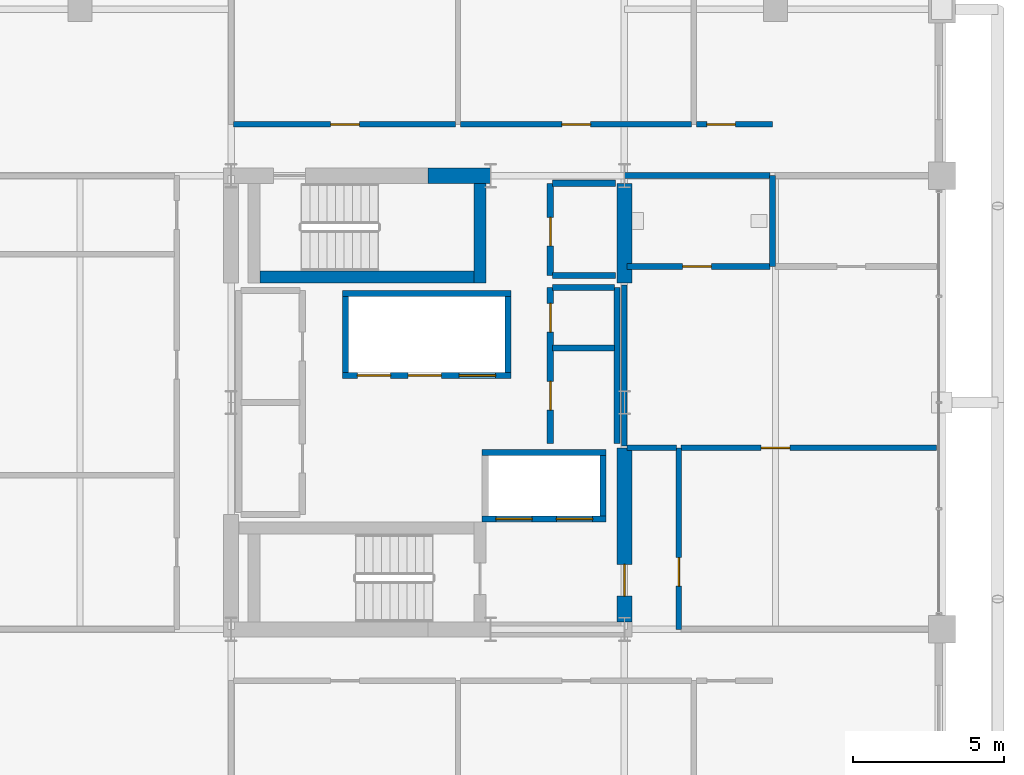
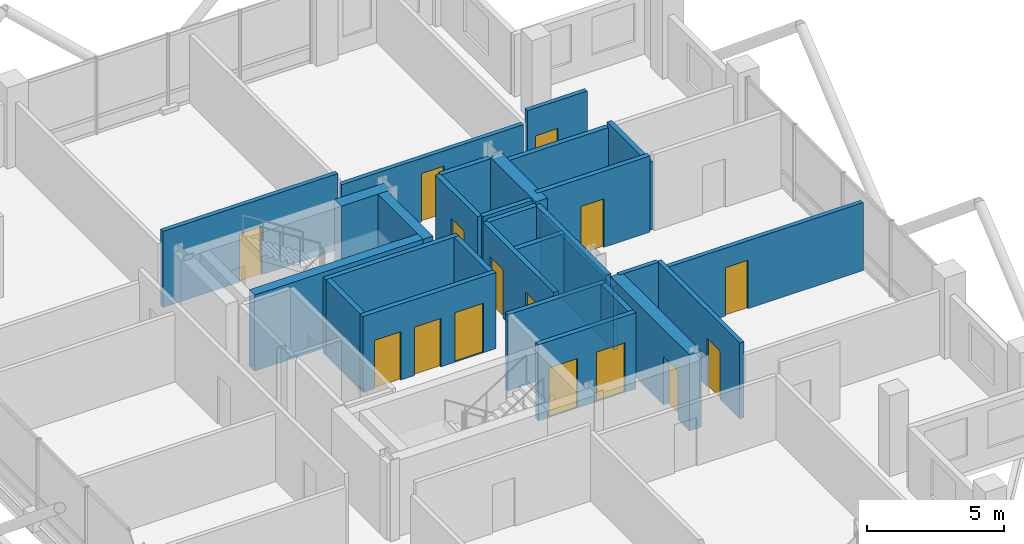
# One storey, part 20 of 24: 29 walls, 15 doors, 15 openings.
"""IFC4 building model written with IfcOpenShell, lengths in metres."""

from ifc_helpers import new_model, si_unit, direction, frame, frame_2d, origin, place, context, subcontext, project, spatial, rectangle, extrude, material, layer, layer_set, type_object, element, fill, save


model = new_model("IFC4")

# Units and contexts
model_context = context("Model", 3, precision=1e-05, world=origin(), true_north=direction((0.0, 1.0)))
body_context = subcontext(model_context, "Body", "Model", "MODEL_VIEW")
ifc_project = project(units=[si_unit("LENGTHUNIT", "METRE"), si_unit("AREAUNIT", "SQUARE_METRE"), si_unit("VOLUMEUNIT", "CUBIC_METRE"), si_unit("PLANEANGLEUNIT", "RADIAN"), si_unit("MASSUNIT", "GRAM", prefix="KILO")], contexts=[model_context])

# Site, building, storey
site_placement = place(None, origin())
site = spatial("IfcSite", under=ifc_project, at=site_placement, CompositionType="ELEMENT")
building_placement = place(site_placement, origin())
building = spatial("IfcBuilding", under=site, at=building_placement, Name="Barlavira Tower and Art Museum", CompositionType="ELEMENT")
storey_placement = place(building_placement, frame((0.0, 0.0, 272.699951171875)))
storey = spatial("IfcBuildingStorey", under=building, at=storey_placement, Name="L71", CompositionType="ELEMENT", Elevation=272.699951171875)

# Wall
ifc_material_1 = material(Name="Concrete C60", Category="concrete")
ifc_layer_1 = layer(ifc_material_1, 0.5, Name="Concrete C60")
ifc_layer_set_1 = layer_set([ifc_layer_1], Name="Concrete C60")
wall_type_1 = type_object("IfcWallType", Name="Core Structural Shear Wall 500 Concrete C60", PredefinedType="SHEAR", material=ifc_layer_set_1)
wall_1_placement = place(storey_placement, frame((0.0, 7.5, 0.0), z_axis=(0.0, 0.0, 1.0), x_axis=(1.0, 0.0, 0.0)))
element("IfcWall", 1, at=wall_1_placement, inside=storey, type_object=wall_type_1, Name="L71 Core Shear Wall CS-EN", PredefinedType="SHEAR", context=body_context, shape_type="SweptSolid", body=[
    extrude(rectangle(XDim=2.080078125, YDim=0.5, at=frame_2d((1.0400390625, 0.0))), origin(), (0.0, 0.0, 1.0), 3.380126953125),
])

# Wall, opening, door
wall_2_placement = place(storey_placement, frame((6.5, -7.25, 0.0), z_axis=(0.0, 0.0, 1.0), x_axis=(0.0, 1.0, 0.0)))
wall_2 = element("IfcWall", 2, at=wall_2_placement, inside=storey, type_object=wall_type_1, Name="L71 Core Shear Wall CS-E1", PredefinedType="SHEAR", context=body_context, shape_type="SweptSolid", body=[
    extrude(rectangle(XDim=5.75, YDim=0.5, at=frame_2d((2.875, 0.0))), origin(), (0.0, 0.0, 1.0), 3.380126953125),
])
opening_1_placement = place(wall_2_placement, frame((0.85009765625, 0.0, 0.0)))
opening_1 = element("IfcOpeningElement", 3, at=opening_1_placement, cuts=wall_2, Name="Opening FD-90", PredefinedType="OPENING", context=body_context, shape_type="SweptSolid", body=[
    extrude(rectangle(XDim=1.050048828125, YDim=2.14990234375, at=frame_2d((0.52490234375, 1.074951171875))), frame((0.0, 0.260009765625, 0.0), z_axis=(0.0, -1.0, 0.0), x_axis=(1.0, 0.0, 0.0)), (0.0, 0.0, 1.0), 0.52001953125),
])
ifc_material_2 = material(Name="Brushed stainless steel", Category="steel")
door_type_1 = type_object("IfcDoorType", Name="Stair and Refuge Fire Door 1050x2150 FD90S", OperationType="NOTDEFINED", PredefinedType="DOOR", material=ifc_material_2)
door_1_placement = place(opening_1_placement, origin())
door_1 = element("IfcDoor", 4, at=door_1_placement, inside=storey, type_object=door_type_1, Name="L71 Firefighting Lobby Entry Fire Door", OperationType="SINGLE_SWING_LEFT", OverallHeight=2.14990234375, OverallWidth=1.050048828125, PredefinedType="DOOR", context=body_context, shape_type="SweptSolid", body=[
    extrude(rectangle(XDim=1.050048828125, YDim=2.14990234375, at=frame_2d((0.52490234375, 1.074951171875))), frame((0.0, 0.02490234375, 0.0), z_axis=(0.0, -1.0, 0.0), x_axis=(1.0, 0.0, 0.0)), (0.0, 0.0, 1.0), 0.050048828125),
])
fill(opening_1, door_1)

# Wall
wall_3_placement = place(storey_placement, frame((6.5, 3.949951171875, 0.0), z_axis=(0.0, 0.0, 1.0), x_axis=(0.0, 1.0, 0.0)))
element("IfcWall", 5, at=wall_3_placement, inside=storey, type_object=wall_type_1, Name="L71 Core Shear Wall CS-E2", PredefinedType="SHEAR", context=body_context, shape_type="SweptSolid", body=[
    extrude(rectangle(XDim=3.300048828125, YDim=0.5, at=frame_2d((1.64990234375, 0.0))), origin(), (0.0, 0.0, 1.0), 3.380126953125),
])

# Wall, openings, doors
ifc_material_3 = material(Name="Autoclaved aerated concrete masonry", Category="masonry")
ifc_layer_2 = layer(ifc_material_3, 0.199951171875, Name="Autoclaved aerated concrete masonry")
ifc_layer_set_2 = layer_set([ifc_layer_2], Name="Autoclaved aerated concrete masonry")
wall_type_2 = type_object("IfcWallType", Name="Fire Compartment and Shaft Wall 200", PredefinedType="SOLIDWALL", material=ifc_layer_set_2)
wall_4_placement = place(storey_placement, frame((-2.820068359375, 0.89990234375, 0.0), z_axis=(0.0, 0.0, 1.0), x_axis=(1.0, 0.0, 0.0)))
wall_4 = element("IfcWall", 6, at=wall_4_placement, inside=storey, type_object=wall_type_2, Name="L71 High-Rise & Service Lift Front Wall", PredefinedType="SOLIDWALL", context=body_context, shape_type="SweptSolid", body=[
    extrude(rectangle(XDim=5.580078125, YDim=0.199951171875, at=frame_2d((2.7900390625, 0.0))), origin(), (0.0, 0.0, 1.0), 3.380126953125),
])
opening_2_placement = place(wall_4_placement, frame((0.489990234375, 0.0, 0.0)))
opening_2 = element("IfcOpeningElement", 7, at=opening_2_placement, cuts=wall_4, Name="Opening LD-P", PredefinedType="OPENING", context=body_context, shape_type="SweptSolid", body=[
    extrude(rectangle(XDim=1.10009765625, YDim=2.14990234375, at=frame_2d((0.550048828125, 1.074951171875))), frame((0.0, 0.10986328125, 0.0), z_axis=(0.0, -1.0, 0.0), x_axis=(1.0, 0.0, 0.0)), (0.0, 0.0, 1.0), 0.219970703125),
])
opening_3_placement = place(wall_4_placement, frame((2.169921875, 0.0, 0.0)))
opening_3 = element("IfcOpeningElement", 8, at=opening_3_placement, cuts=wall_4, Name="Opening LD-P", PredefinedType="OPENING", context=body_context, shape_type="SweptSolid", body=[
    extrude(rectangle(XDim=1.10009765625, YDim=2.14990234375, at=frame_2d((0.550048828125, 1.074951171875))), frame((0.0, 0.10986328125, 0.0), z_axis=(0.0, -1.0, 0.0), x_axis=(1.0, 0.0, 0.0)), (0.0, 0.0, 1.0), 0.219970703125),
])
opening_4_placement = place(wall_4_placement, frame((3.860107421875, 0.0, 0.0)))
opening_4 = element("IfcOpeningElement", 9, at=opening_4_placement, cuts=wall_4, Name="Opening LD-F", PredefinedType="OPENING", context=body_context, shape_type="SweptSolid", body=[
    extrude(rectangle(XDim=1.199951171875, YDim=2.199951171875, at=frame_2d((0.60009765625, 1.10009765625))), frame((0.0, 0.10986328125, 0.0), z_axis=(0.0, -1.0, 0.0), x_axis=(1.0, 0.0, 0.0)), (0.0, 0.0, 1.0), 0.219970703125),
])
door_type_2 = type_object("IfcDoorType", Name="Firefighting and Service Lift Sliding Door 1200x2200 FD120", OperationType="NOTDEFINED", PredefinedType="DOOR", material=ifc_material_2)
door_2_placement = place(opening_4_placement, origin())
door_2 = element("IfcDoor", 10, at=door_2_placement, inside=storey, type_object=door_type_2, Name="L71 Stretcher Service Lift SL1 Sliding Door", OperationType="DOUBLE_DOOR_SLIDING", OverallHeight=2.199951171875, OverallWidth=1.199951171875, PredefinedType="DOOR", context=body_context, shape_type="SweptSolid", body=[
    extrude(rectangle(XDim=1.199951171875, YDim=2.199951171875, at=frame_2d((0.60009765625, 1.10009765625))), frame((0.0, 0.02490234375, 0.0), z_axis=(0.0, -1.0, 0.0), x_axis=(1.0, 0.0, 0.0)), (0.0, 0.0, 1.0), 0.050048828125),
])
fill(opening_4, door_2)
door_type_3 = type_object("IfcDoorType", Name="Passenger Lift Sliding Landing Door 1100x2150 FD60", OperationType="NOTDEFINED", PredefinedType="DOOR", material=ifc_material_2)
door_3_placement = place(opening_2_placement, origin())
door_3 = element("IfcDoor", 11, at=door_3_placement, inside=storey, type_object=door_type_3, Name="L71 Lift PH1 Sliding Landing Door", OperationType="DOUBLE_DOOR_SLIDING", OverallHeight=2.14990234375, OverallWidth=1.10009765625, PredefinedType="DOOR", context=body_context, shape_type="SweptSolid", body=[
    extrude(rectangle(XDim=1.10009765625, YDim=2.14990234375, at=frame_2d((0.550048828125, 1.074951171875))), frame((0.0, 0.02490234375, 0.0), z_axis=(0.0, -1.0, 0.0), x_axis=(1.0, 0.0, 0.0)), (0.0, 0.0, 1.0), 0.050048828125),
])
fill(opening_2, door_3)
door_4_placement = place(opening_3_placement, origin())
door_4 = element("IfcDoor", 12, at=door_4_placement, inside=storey, type_object=door_type_3, Name="L71 Lift PH2 Sliding Landing Door", OperationType="DOUBLE_DOOR_SLIDING", OverallHeight=2.14990234375, OverallWidth=1.10009765625, PredefinedType="DOOR", context=body_context, shape_type="SweptSolid", body=[
    extrude(rectangle(XDim=1.10009765625, YDim=2.14990234375, at=frame_2d((0.550048828125, 1.074951171875))), frame((0.0, 0.02490234375, 0.0), z_axis=(0.0, -1.0, 0.0), x_axis=(1.0, 0.0, 0.0)), (0.0, 0.0, 1.0), 0.050048828125),
])
fill(opening_3, door_4)

# Walls
wall_5_placement = place(storey_placement, frame((-2.820068359375, 3.60009765625, 0.0), z_axis=(0.0, 0.0, 1.0), x_axis=(1.0, 0.0, 0.0)))
element("IfcWall", 13, at=wall_5_placement, inside=storey, type_object=wall_type_2, Name="L71 High-Rise & Service Lift Back Wall", PredefinedType="SOLIDWALL", context=body_context, shape_type="SweptSolid", body=[
    extrude(rectangle(XDim=5.580078125, YDim=0.199951171875, at=frame_2d((2.7900390625, 0.0))), origin(), (0.0, 0.0, 1.0), 3.380126953125),
])
for number, where, z_axis, x_axis, name in (
    (14, (-2.719970703125, 1.0, 0.0), (0.0, 0.0, 1.0), (0.0, 1.0, 0.0), "L71 High-Rise & Service Lift West Wall"),
    (15, (2.659912109375, 1.0, 0.0), (0.0, 0.0, 1.0), (0.0, 1.0, 0.0), "L71 High-Rise & Service Lift East Wall"),
):
    element("IfcWall", number, at=place(storey_placement, frame(where, z_axis=z_axis, x_axis=x_axis)), inside=storey, type_object=wall_type_2, Name=name, PredefinedType="SOLIDWALL", context=body_context, shape_type="SweptSolid", body=[
        extrude(rectangle(XDim=2.5, YDim=0.199951171875, at=frame_2d((1.25, 0.0))), origin(), (0.0, 0.0, 1.0), 3.380126953125),
    ])

# Wall, openings, doors
wall_6_placement = place(storey_placement, frame((1.800048828125, -3.85009765625, 0.0), z_axis=(0.0, 0.0, 1.0), x_axis=(1.0, 0.0, 0.0)))
wall_6 = element("IfcWall", 16, at=wall_6_placement, inside=storey, type_object=wall_type_2, Name="L71 Firefighting Lift Front Shaft Wall", PredefinedType="SOLIDWALL", context=body_context, shape_type="SweptSolid", body=[
    extrude(rectangle(XDim=4.099853515625, YDim=0.199951171875, at=frame_2d((2.0498046875, 0.0))), origin(), (0.0, 0.0, 1.0), 3.380126953125),
])
opening_5_placement = place(wall_6_placement, frame((0.449951171875, 0.0, 0.0)))
opening_5 = element("IfcOpeningElement", 17, at=opening_5_placement, cuts=wall_6, Name="Opening LD-F", PredefinedType="OPENING", context=body_context, shape_type="SweptSolid", body=[
    extrude(rectangle(XDim=1.199951171875, YDim=2.199951171875, at=frame_2d((0.60009765625, 1.10009765625))), frame((0.0, 0.10986328125, 0.0), z_axis=(0.0, -1.0, 0.0), x_axis=(1.0, 0.0, 0.0)), (0.0, 0.0, 1.0), 0.219970703125),
])
opening_6_placement = place(wall_6_placement, frame((2.449951171875, 0.0, 0.0)))
opening_6 = element("IfcOpeningElement", 18, at=opening_6_placement, cuts=wall_6, Name="Opening LD-F", PredefinedType="OPENING", context=body_context, shape_type="SweptSolid", body=[
    extrude(rectangle(XDim=1.199951171875, YDim=2.199951171875, at=frame_2d((0.60009765625, 1.10009765625))), frame((0.0, 0.10986328125, 0.0), z_axis=(0.0, -1.0, 0.0), x_axis=(1.0, 0.0, 0.0)), (0.0, 0.0, 1.0), 0.219970703125),
])
door_5_placement = place(opening_5_placement, origin())
door_5 = element("IfcDoor", 19, at=door_5_placement, inside=storey, type_object=door_type_2, Name="L71 Firefighting Lift FF1 Sliding Door", OperationType="DOUBLE_DOOR_SLIDING", OverallHeight=2.199951171875, OverallWidth=1.199951171875, PredefinedType="DOOR", context=body_context, shape_type="SweptSolid", body=[
    extrude(rectangle(XDim=1.199951171875, YDim=2.199951171875, at=frame_2d((0.60009765625, 1.10009765625))), frame((0.0, 0.02490234375, 0.0), z_axis=(0.0, -1.0, 0.0), x_axis=(1.0, 0.0, 0.0)), (0.0, 0.0, 1.0), 0.050048828125),
])
fill(opening_5, door_5)
door_6_placement = place(opening_6_placement, origin())
door_6 = element("IfcDoor", 20, at=door_6_placement, inside=storey, type_object=door_type_2, Name="L71 Firefighting Lift FF2 Sliding Door", OperationType="DOUBLE_DOOR_SLIDING", OverallHeight=2.199951171875, OverallWidth=1.199951171875, PredefinedType="DOOR", context=body_context, shape_type="SweptSolid", body=[
    extrude(rectangle(XDim=1.199951171875, YDim=2.199951171875, at=frame_2d((0.60009765625, 1.10009765625))), frame((0.0, 0.02490234375, 0.0), z_axis=(0.0, -1.0, 0.0), x_axis=(1.0, 0.0, 0.0)), (0.0, 0.0, 1.0), 0.050048828125),
])
fill(opening_6, door_6)

# Walls
wall_7_placement = place(storey_placement, frame((1.800048828125, -1.64990234375, 0.0), z_axis=(0.0, 0.0, 1.0), x_axis=(1.0, 0.0, 0.0)))
element("IfcWall", 21, at=wall_7_placement, inside=storey, type_object=wall_type_2, Name="L71 Firefighting Lift Back Shaft Wall", PredefinedType="SOLIDWALL", context=body_context, shape_type="SweptSolid", body=[
    extrude(rectangle(XDim=4.099853515625, YDim=0.199951171875, at=frame_2d((2.0498046875, 0.0))), origin(), (0.0, 0.0, 1.0), 3.380126953125),
])
wall_8_placement = place(storey_placement, frame((5.800048828125, -3.75, 0.0), z_axis=(0.0, 0.0, 1.0), x_axis=(0.0, 1.0, 0.0)))
element("IfcWall", 22, at=wall_8_placement, inside=storey, type_object=wall_type_2, Name="L71 Firefighting Lift East Shaft Wall", PredefinedType="SOLIDWALL", context=body_context, shape_type="SweptSolid", body=[
    extrude(rectangle(XDim=2.0, YDim=0.199951171875, at=frame_2d((1.0, 0.0))), origin(), (0.0, 0.0, 1.0), 3.380126953125),
])

# Wall, openings, doors
wall_9_placement = place(storey_placement, frame((4.050048828125, -1.35009765625, 0.0), z_axis=(0.0, 0.0, 1.0), x_axis=(0.0, 1.0, 0.0)))
wall_9 = element("IfcWall", 23, at=wall_9_placement, inside=storey, type_object=wall_type_2, Name="L71 Partition Wall 8", PredefinedType="SOLIDWALL", context=body_context, shape_type="SweptSolid", body=[
    extrude(rectangle(XDim=5.150146484375, YDim=0.199951171875, at=frame_2d((2.5751953125, 0.0))), origin(), (0.0, 0.0, 1.0), 3.380126953125),
])
opening_7_placement = place(wall_9_placement, frame((1.094970703125, 0.0, 0.0)))
opening_7 = element("IfcOpeningElement", 24, at=opening_7_placement, cuts=wall_9, Name="Opening FD-60", PredefinedType="OPENING", context=body_context, shape_type="SweptSolid", body=[
    extrude(rectangle(XDim=0.949951171875, YDim=2.14990234375, at=frame_2d((0.47509765625, 1.074951171875))), frame((0.0, 0.10986328125, 0.0), z_axis=(0.0, -1.0, 0.0), x_axis=(1.0, 0.0, 0.0)), (0.0, 0.0, 1.0), 0.219970703125),
])
opening_8_placement = place(wall_9_placement, frame((3.675048828125, 0.0, 0.0)))
opening_8 = element("IfcOpeningElement", 25, at=opening_8_placement, cuts=wall_9, Name="Opening FD-60", PredefinedType="OPENING", context=body_context, shape_type="SweptSolid", body=[
    extrude(rectangle(XDim=0.949951171875, YDim=2.14990234375, at=frame_2d((0.47509765625, 1.074951171875))), frame((0.0, 0.10986328125, 0.0), z_axis=(0.0, -1.0, 0.0), x_axis=(1.0, 0.0, 0.0)), (0.0, 0.0, 1.0), 0.219970703125),
])
door_type_4 = type_object("IfcDoorType", Name="Apartment Entrance and Riser Fire Door 950x2150 FD60S", OperationType="NOTDEFINED", PredefinedType="DOOR", material=ifc_material_2)
door_7_placement = place(opening_7_placement, origin())
door_7 = element("IfcDoor", 26, at=door_7_placement, inside=storey, type_object=door_type_4, Name="Reclaimed Upper Core IT Hub Door", OperationType="SINGLE_SWING_RIGHT", OverallHeight=2.14990234375, OverallWidth=0.949951171875, PredefinedType="DOOR", context=body_context, shape_type="SweptSolid", body=[
    extrude(rectangle(XDim=0.949951171875, YDim=2.14990234375, at=frame_2d((0.47509765625, 1.074951171875))), frame((0.0, 0.02490234375, 0.0), z_axis=(0.0, -1.0, 0.0), x_axis=(1.0, 0.0, 0.0)), (0.0, 0.0, 1.0), 0.050048828125),
])
fill(opening_7, door_7)
door_8_placement = place(opening_8_placement, origin())
door_8 = element("IfcDoor", 27, at=door_8_placement, inside=storey, type_object=door_type_4, Name="Reclaimed Upper Core Archive Closet Door", OperationType="SINGLE_SWING_LEFT", OverallHeight=2.14990234375, OverallWidth=0.949951171875, PredefinedType="DOOR", context=body_context, shape_type="SweptSolid", body=[
    extrude(rectangle(XDim=0.949951171875, YDim=2.14990234375, at=frame_2d((0.47509765625, 1.074951171875))), frame((0.0, 0.02490234375, 0.0), z_axis=(0.0, -1.0, 0.0), x_axis=(1.0, 0.0, 0.0)), (0.0, 0.0, 1.0), 0.050048828125),
])
fill(opening_8, door_8)

# Wall, opening, door
wall_10_placement = place(storey_placement, frame((4.050048828125, 4.199951171875, 0.0), z_axis=(0.0, 0.0, 1.0), x_axis=(0.0, 1.0, 0.0)))
wall_10 = element("IfcWall", 28, at=wall_10_placement, inside=storey, type_object=wall_type_2, Name="L71 Partition Wall 9", PredefinedType="SOLIDWALL", context=body_context, shape_type="SweptSolid", body=[
    extrude(rectangle(XDim=3.050048828125, YDim=0.199951171875, at=frame_2d((1.52490234375, 0.0))), origin(), (0.0, 0.0, 1.0), 3.380126953125),
])
opening_9_placement = place(wall_10_placement, frame((0.97509765625, 0.0, 0.0)))
opening_9 = element("IfcOpeningElement", 29, at=opening_9_placement, cuts=wall_10, Name="Opening FD-60", PredefinedType="OPENING", context=body_context, shape_type="SweptSolid", body=[
    extrude(rectangle(XDim=0.949951171875, YDim=2.14990234375, at=frame_2d((0.47509765625, 1.074951171875))), frame((0.0, 0.10986328125, 0.0), z_axis=(0.0, -1.0, 0.0), x_axis=(1.0, 0.0, 0.0)), (0.0, 0.0, 1.0), 0.219970703125),
])
door_9_placement = place(opening_9_placement, origin())
door_9 = element("IfcDoor", 30, at=door_9_placement, inside=storey, type_object=door_type_4, Name="Combined Electrical and Telecom Plant Room Door", OperationType="SINGLE_SWING_RIGHT", OverallHeight=2.14990234375, OverallWidth=0.949951171875, PredefinedType="DOOR", context=body_context, shape_type="SweptSolid", body=[
    extrude(rectangle(XDim=0.949951171875, YDim=2.14990234375, at=frame_2d((0.47509765625, 1.074951171875))), frame((0.0, 0.02490234375, 0.0), z_axis=(0.0, -1.0, 0.0), x_axis=(1.0, 0.0, 0.0)), (0.0, 0.0, 1.0), 0.050048828125),
])
fill(opening_9, door_9)

# Walls
wall_11_placement = place(storey_placement, frame((6.25, -1.35009765625, 0.0), z_axis=(0.0, 0.0, 1.0), x_axis=(0.0, 1.0, 0.0)))
element("IfcWall", 31, at=wall_11_placement, inside=storey, type_object=wall_type_2, Name="L71 Partition Wall 10", PredefinedType="SOLIDWALL", context=body_context, shape_type="SweptSolid", body=[
    extrude(rectangle(XDim=5.150146484375, YDim=0.199951171875, at=frame_2d((2.5751953125, 0.0))), origin(), (0.0, 0.0, 1.0), 3.380126953125),
])
wall_12_placement = place(storey_placement, frame((11.39990234375, 4.5, 0.0), z_axis=(0.0, 0.0, 1.0), x_axis=(0.0, 1.0, 0.0)))
element("IfcWall", 32, at=wall_12_placement, inside=storey, type_object=wall_type_2, Name="L71 Partition Wall 15", PredefinedType="SOLIDWALL", context=body_context, shape_type="SweptSolid", body=[
    extrude(rectangle(XDim=3.0, YDim=0.199951171875, at=frame_2d((1.5, 0.0))), origin(), (0.0, 0.0, 1.0), 3.01806640625),
])
for number, where, z_axis, x_axis, name in (
    (33, (4.1298828125, 1.800048828125, 0.0), (0.0, 0.0, 1.0), (1.0, 0.0, 0.0), "L71 Partition Wall 26"),
    (34, (4.1298828125, 3.800048828125, 0.0), (0.0, 0.0, 1.0), (1.0, 0.0, 0.0), "L71 Partition Wall 28"),
):
    element("IfcWall", number, at=place(storey_placement, frame(where, z_axis=z_axis, x_axis=x_axis)), inside=storey, type_object=wall_type_2, Name=name, PredefinedType="SOLIDWALL", context=body_context, shape_type="SweptSolid", body=[
        extrude(rectangle(XDim=2.0400390625, YDim=0.199951171875, at=frame_2d((1.02001953125, 0.0))), origin(), (0.0, 0.0, 1.0), 3.380126953125),
    ])
wall_13_placement = place(storey_placement, frame((4.1298828125, 4.199951171875, 0.0), z_axis=(0.0, 0.0, 1.0), x_axis=(1.0, 0.0, 0.0)))
element("IfcWall", 35, at=wall_13_placement, inside=storey, type_object=wall_type_2, Name="L71 Partition Wall 29", PredefinedType="SOLIDWALL", context=body_context, shape_type="SweptSolid", body=[
    extrude(rectangle(XDim=2.070068359375, YDim=0.199951171875, at=frame_2d((1.03515625, 0.0))), origin(), (0.0, 0.0, 1.0), 3.380126953125),
])

# Wall, opening, door
wall_14_placement = place(storey_placement, frame((6.580078125, 4.5, 0.0), z_axis=(0.0, 0.0, 1.0), x_axis=(1.0, 0.0, 0.0)))
wall_14 = element("IfcWall", 36, at=wall_14_placement, inside=storey, type_object=wall_type_2, Name="L71 Partition Wall 30", PredefinedType="SOLIDWALL", context=body_context, shape_type="SweptSolid", body=[
    extrude(rectangle(XDim=4.739990234375, YDim=0.199951171875, at=frame_2d((2.3701171875, 0.0))), origin(), (0.0, 0.0, 1.0), 3.380126953125),
])
opening_10_placement = place(wall_14_placement, frame((1.844970703125, 0.0, 0.0)))
opening_10 = element("IfcOpeningElement", 37, at=opening_10_placement, cuts=wall_14, Name="Opening FD-60", PredefinedType="OPENING", context=body_context, shape_type="SweptSolid", body=[
    extrude(rectangle(XDim=0.949951171875, YDim=2.14990234375, at=frame_2d((0.47509765625, 1.074951171875))), frame((0.0, 0.10986328125, 0.0), z_axis=(0.0, -1.0, 0.0), x_axis=(1.0, 0.0, 0.0)), (0.0, 0.0, 1.0), 0.219970703125),
])
door_10_placement = place(opening_10_placement, origin())
door_10 = element("IfcDoor", 38, at=door_10_placement, inside=storey, type_object=door_type_4, Name="Wellness Accessible Shower WC Door", OperationType="SINGLE_SWING_RIGHT", OverallHeight=2.14990234375, OverallWidth=0.949951171875, PredefinedType="DOOR", context=body_context, shape_type="SweptSolid", body=[
    extrude(rectangle(XDim=0.949951171875, YDim=2.14990234375, at=frame_2d((0.47509765625, 1.074951171875))), frame((0.0, 0.02490234375, 0.0), z_axis=(0.0, -1.0, 0.0), x_axis=(1.0, 0.0, 0.0)), (0.0, 0.0, 1.0), 0.050048828125),
])
fill(opening_10, door_10)

# Walls
wall_15_placement = place(storey_placement, frame((4.1298828125, 7.25, 0.0), z_axis=(0.0, 0.0, 1.0), x_axis=(1.0, 0.0, 0.0)))
element("IfcWall", 39, at=wall_15_placement, inside=storey, type_object=wall_type_2, Name="L71 Partition Wall 33", PredefinedType="SOLIDWALL", context=body_context, shape_type="SweptSolid", body=[
    extrude(rectangle(XDim=2.070068359375, YDim=0.199951171875, at=frame_2d((1.03515625, 0.0))), origin(), (0.0, 0.0, 1.0), 3.380126953125),
])
wall_16_placement = place(storey_placement, frame((6.5, 7.5, 0.0), z_axis=(0.0, 0.0, 1.0), x_axis=(1.0, 0.0, 0.0)))
element("IfcWall", 40, at=wall_16_placement, inside=storey, type_object=wall_type_2, Name="L71 Partition Wall 35", PredefinedType="SOLIDWALL", context=body_context, shape_type="SweptSolid", body=[
    extrude(rectangle(XDim=4.820068359375, YDim=0.199951171875, at=frame_2d((2.41015625, 0.0))), origin(), (0.0, 0.0, 1.0), 2.825927734375),
])
ifc_material_4 = material(Name="Gypsum acoustic stud partition", Category="gypsum")
ifc_layer_3 = layer(ifc_material_4, 0.179931640625, Name="Gypsum acoustic stud partition")
ifc_layer_set_3 = layer_set([ifc_layer_3], Name="Gypsum acoustic stud partition")
wall_type_3 = type_object("IfcWallType", Name="Inter-Tenancy Party Partition Wall 180", PredefinedType="PARTITIONING", material=ifc_layer_set_3)
wall_17_placement = place(storey_placement, frame((6.5, -1.43994140625, 0.0), z_axis=(0.0, 0.0, 1.0), x_axis=(0.0, 1.0, 0.0)))
element("IfcWall", 41, at=wall_17_placement, inside=storey, type_object=wall_type_3, Name="L71 Partition Wall 11", PredefinedType="PARTITIONING", context=body_context, shape_type="SweptSolid", body=[
    extrude(rectangle(XDim=5.329833984375, YDim=0.179931640625, at=frame_2d((2.6650390625, 0.0))), origin(), (0.0, 0.0, 1.0), 2.825927734375),
])

# Wall, opening, door
wall_18_placement = place(storey_placement, frame((8.300048828125, -7.5, 0.0), z_axis=(0.0, 0.0, 1.0), x_axis=(0.0, 1.0, 0.0)))
wall_18 = element("IfcWall", 42, at=wall_18_placement, inside=storey, type_object=wall_type_3, Name="L71 Partition Wall 12", PredefinedType="PARTITIONING", context=body_context, shape_type="SweptSolid", body=[
    extrude(rectangle(XDim=6.0, YDim=0.179931640625, at=frame_2d((3.0, 0.0))), origin(), (0.0, 0.0, 1.0), 3.380126953125),
])
opening_11_placement = place(wall_18_placement, frame((1.425048828125, 0.0, 0.0)))
opening_11 = element("IfcOpeningElement", 43, at=opening_11_placement, cuts=wall_18, Name="Opening FD-60", PredefinedType="OPENING", context=body_context, shape_type="SweptSolid", body=[
    extrude(rectangle(XDim=0.949951171875, YDim=2.14990234375, at=frame_2d((0.47509765625, 1.074951171875))), frame((0.0, 0.10009765625, 0.0), z_axis=(0.0, -1.0, 0.0), x_axis=(1.0, 0.0, 0.0)), (0.0, 0.0, 1.0), 0.199951171875),
])
door_11_placement = place(opening_11_placement, origin())
door_11 = element("IfcDoor", 44, at=door_11_placement, inside=storey, type_object=door_type_4, Name="Coastal Hydrotherapy and Yoga Lounge Door", OperationType="SINGLE_SWING_RIGHT", OverallHeight=2.14990234375, OverallWidth=0.949951171875, PredefinedType="DOOR", context=body_context, shape_type="SweptSolid", body=[
    extrude(rectangle(XDim=0.949951171875, YDim=2.14990234375, at=frame_2d((0.47509765625, 1.074951171875))), frame((0.0, 0.02490234375, 0.0), z_axis=(0.0, -1.0, 0.0), x_axis=(1.0, 0.0, 0.0)), (0.0, 0.0, 1.0), 0.050048828125),
])
fill(opening_11, door_11)

# Wall
wall_19_placement = place(storey_placement, frame((6.580078125, -1.5, 0.0), z_axis=(0.0, 0.0, 1.0), x_axis=(1.0, 0.0, 0.0)))
element("IfcWall", 45, at=wall_19_placement, inside=storey, type_object=wall_type_3, Name="L71 Partition Wall 23", PredefinedType="PARTITIONING", context=body_context, shape_type="SweptSolid", body=[
    extrude(rectangle(XDim=1.639892578125, YDim=0.179931640625, at=frame_2d((0.81982421875, 0.0))), origin(), (0.0, 0.0, 1.0), 3.380126953125),
])

# Wall, opening, door
wall_20_placement = place(storey_placement, frame((8.3798828125, -1.5, 0.0), z_axis=(0.0, 0.0, 1.0), x_axis=(1.0, 0.0, 0.0)))
wall_20 = element("IfcWall", 46, at=wall_20_placement, inside=storey, type_object=wall_type_3, Name="L71 Partition Wall 24", PredefinedType="PARTITIONING", context=body_context, shape_type="SweptSolid", body=[
    extrude(rectangle(XDim=8.440185546875, YDim=0.179931640625, at=frame_2d((4.22021484375, 0.0))), origin(), (0.0, 0.0, 1.0), 3.01806640625),
])
opening_12_placement = place(wall_20_placement, frame((2.64501953125, 0.0, 0.0)))
opening_12 = element("IfcOpeningElement", 47, at=opening_12_placement, cuts=wall_20, Name="Opening FD-60", PredefinedType="OPENING", context=body_context, shape_type="SweptSolid", body=[
    extrude(rectangle(XDim=0.949951171875, YDim=2.14990234375, at=frame_2d((0.47509765625, 1.074951171875))), frame((0.0, 0.10009765625, 0.0), z_axis=(0.0, -1.0, 0.0), x_axis=(1.0, 0.0, 0.0)), (0.0, 0.0, 1.0), 0.199951171875),
])
door_12_placement = place(opening_12_placement, origin())
door_12 = element("IfcDoor", 48, at=door_12_placement, inside=storey, type_object=door_type_4, Name="Resident Ocean-View Fitness Studio Door", OperationType="SINGLE_SWING_LEFT", OverallHeight=2.14990234375, OverallWidth=0.949951171875, PredefinedType="DOOR", context=body_context, shape_type="SweptSolid", body=[
    extrude(rectangle(XDim=0.949951171875, YDim=2.14990234375, at=frame_2d((0.47509765625, 1.074951171875))), frame((0.0, 0.02490234375, 0.0), z_axis=(0.0, -1.0, 0.0), x_axis=(1.0, 0.0, 0.0)), (0.0, 0.0, 1.0), 0.050048828125),
])
fill(opening_12, door_12)

wall_21_placement = place(storey_placement, frame((-6.419921875, 9.199951171875, 0.0), z_axis=(0.0, 0.0, 1.0), x_axis=(1.0, 0.0, 0.0)))
wall_21 = element("IfcWall", 49, at=wall_21_placement, inside=storey, type_object=wall_type_3, Name="L71 Partition Wall 37", PredefinedType="PARTITIONING", context=body_context, shape_type="SweptSolid", body=[
    extrude(rectangle(XDim=7.33984375, YDim=0.179931640625, at=frame_2d((3.669921875, 0.0))), origin(), (0.0, 0.0, 1.0), 3.380126953125),
])
opening_13_placement = place(wall_21_placement, frame((3.205078125, 0.0, 0.0)))
opening_13 = element("IfcOpeningElement", 50, at=opening_13_placement, cuts=wall_21, Name="Opening FD-60", PredefinedType="OPENING", context=body_context, shape_type="SweptSolid", body=[
    extrude(rectangle(XDim=0.949951171875, YDim=2.14990234375, at=frame_2d((0.47509765625, 1.074951171875))), frame((0.0, 0.10009765625, 0.0), z_axis=(0.0, -1.0, 0.0), x_axis=(1.0, 0.0, 0.0)), (0.0, 0.0, 1.0), 0.199951171875),
])
door_13_placement = place(opening_13_placement, origin())
door_13 = element("IfcDoor", 51, at=door_13_placement, inside=storey, type_object=door_type_4, Name="Resident Art Collectors Salon Door", OperationType="SINGLE_SWING_RIGHT", OverallHeight=2.14990234375, OverallWidth=0.949951171875, PredefinedType="DOOR", context=body_context, shape_type="SweptSolid", body=[
    extrude(rectangle(XDim=0.949951171875, YDim=2.14990234375, at=frame_2d((0.47509765625, 1.074951171875))), frame((0.0, 0.02490234375, 0.0), z_axis=(0.0, -1.0, 0.0), x_axis=(1.0, 0.0, 0.0)), (0.0, 0.0, 1.0), 0.050048828125),
])
fill(opening_13, door_13)

wall_22_placement = place(storey_placement, frame((1.080078125, 9.199951171875, 0.0), z_axis=(0.0, 0.0, 1.0), x_axis=(1.0, 0.0, 0.0)))
wall_22 = element("IfcWall", 52, at=wall_22_placement, inside=storey, type_object=wall_type_3, Name="L71 Partition Wall 38", PredefinedType="PARTITIONING", context=body_context, shape_type="SweptSolid", body=[
    extrude(rectangle(XDim=7.639892578125, YDim=0.179931640625, at=frame_2d((3.81982421875, 0.0))), origin(), (0.0, 0.0, 1.0), 2.825927734375),
])
opening_14_placement = place(wall_22_placement, frame((3.35498046875, 0.0, 0.0)))
opening_14 = element("IfcOpeningElement", 53, at=opening_14_placement, cuts=wall_22, Name="Opening FD-60", PredefinedType="OPENING", context=body_context, shape_type="SweptSolid", body=[
    extrude(rectangle(XDim=0.949951171875, YDim=2.14990234375, at=frame_2d((0.47509765625, 1.074951171875))), frame((0.0, 0.10009765625, 0.0), z_axis=(0.0, -1.0, 0.0), x_axis=(1.0, 0.0, 0.0)), (0.0, 0.0, 1.0), 0.199951171875),
])
door_14_placement = place(opening_14_placement, origin())
door_14 = element("IfcDoor", 54, at=door_14_placement, inside=storey, type_object=door_type_4, Name="Sculpture and Painting Workshop Door", OperationType="SINGLE_SWING_LEFT", OverallHeight=2.14990234375, OverallWidth=0.949951171875, PredefinedType="DOOR", context=body_context, shape_type="SweptSolid", body=[
    extrude(rectangle(XDim=0.949951171875, YDim=2.14990234375, at=frame_2d((0.47509765625, 1.074951171875))), frame((0.0, 0.02490234375, 0.0), z_axis=(0.0, -1.0, 0.0), x_axis=(1.0, 0.0, 0.0)), (0.0, 0.0, 1.0), 0.050048828125),
])
fill(opening_14, door_14)

wall_23_placement = place(storey_placement, frame((8.8798828125, 9.199951171875, 0.0), z_axis=(0.0, 0.0, 1.0), x_axis=(1.0, 0.0, 0.0)))
wall_23 = element("IfcWall", 55, at=wall_23_placement, inside=storey, type_object=wall_type_3, Name="L71 Partition Wall 39", PredefinedType="PARTITIONING", context=body_context, shape_type="SweptSolid", body=[
    extrude(rectangle(XDim=2.52001953125, YDim=0.179931640625, at=frame_2d((1.260009765625, 0.0))), origin(), (0.0, 0.0, 1.0), 3.380126953125),
])
opening_15_placement = place(wall_23_placement, frame((0.344970703125, 0.0, 0.0)))
opening_15 = element("IfcOpeningElement", 56, at=opening_15_placement, cuts=wall_23, Name="Opening FD-60", PredefinedType="OPENING", context=body_context, shape_type="SweptSolid", body=[
    extrude(rectangle(XDim=0.949951171875, YDim=2.14990234375, at=frame_2d((0.47509765625, 1.074951171875))), frame((0.0, 0.10009765625, 0.0), z_axis=(0.0, -1.0, 0.0), x_axis=(1.0, 0.0, 0.0)), (0.0, 0.0, 1.0), 0.199951171875),
])
door_15_placement = place(opening_15_placement, origin())
door_15 = element("IfcDoor", 57, at=door_15_placement, inside=storey, type_object=door_type_4, Name="Climate-Controlled Wine Tasting Room Door", OperationType="SINGLE_SWING_RIGHT", OverallHeight=2.14990234375, OverallWidth=0.949951171875, PredefinedType="DOOR", context=body_context, shape_type="SweptSolid", body=[
    extrude(rectangle(XDim=0.949951171875, YDim=2.14990234375, at=frame_2d((0.47509765625, 1.074951171875))), frame((0.0, 0.02490234375, 0.0), z_axis=(0.0, -1.0, 0.0), x_axis=(1.0, 0.0, 0.0)), (0.0, 0.0, 1.0), 0.050048828125),
])
fill(opening_15, door_15)

# Walls
ifc_material_5 = material(Name="Concrete C55", Category="concrete")
ifc_layer_4 = layer(ifc_material_5, 0.39990234375, Name="Concrete C55")
ifc_layer_set_4 = layer_set([ifc_layer_4], Name="Concrete C55")
wall_type_4 = type_object("IfcWallType", Name="Upper Core Shear Wall 400 Concrete C55", PredefinedType="SHEAR", material=ifc_layer_set_4)
wall_24_placement = place(storey_placement, frame((-5.550048828125, 4.14990234375, 0.0), z_axis=(0.0, 0.0, 1.0), x_axis=(1.0, 0.0, 0.0)))
element("IfcWall", 58, at=wall_24_placement, inside=storey, type_object=wall_type_4, Name="L71 ST-T2 South Shaft Wall", PredefinedType="SHEAR", context=body_context, shape_type="SweptSolid", body=[
    extrude(rectangle(XDim=7.080078125, YDim=0.39990234375, at=frame_2d((3.5400390625, 0.0))), origin(), (0.0, 0.0, 1.0), 3.380126953125),
])
wall_25_placement = place(storey_placement, frame((1.72998046875, 3.949951171875, 0.0), z_axis=(0.0, 0.0, 1.0), x_axis=(0.0, 1.0, 0.0)))
element("IfcWall", 59, at=wall_25_placement, inside=storey, type_object=wall_type_4, Name="L71 ST-T2 East Half-Landing Wall", PredefinedType="SHEAR", context=body_context, shape_type="SweptSolid", body=[
    extrude(rectangle(XDim=3.300048828125, YDim=0.39990234375, at=frame_2d((1.64990234375, 0.0))), origin(), (0.0, 0.0, 1.0), 3.380126953125),
])

save(model, "model.ifc")
